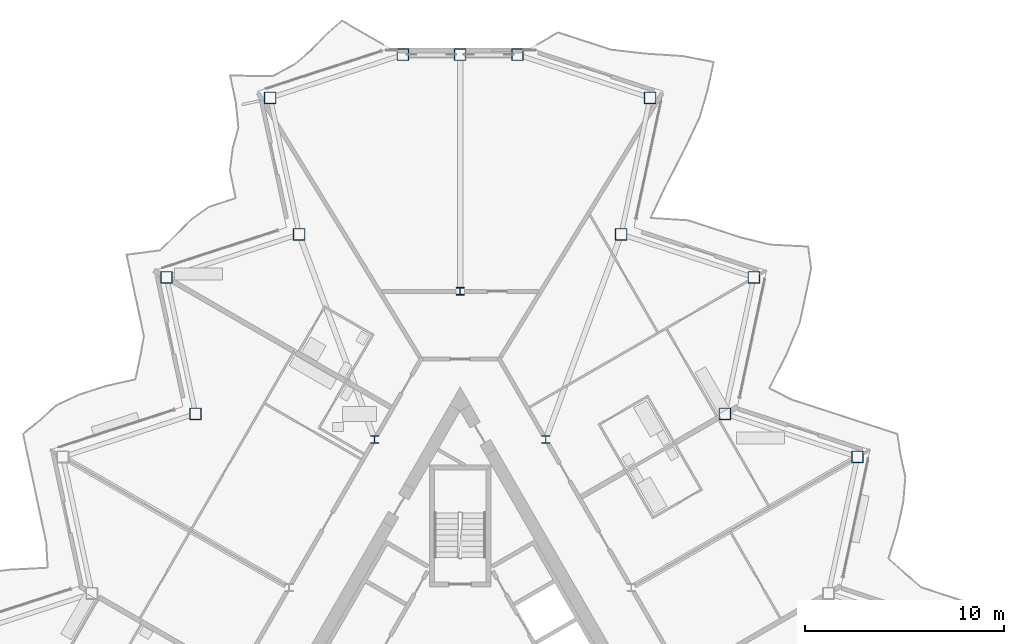
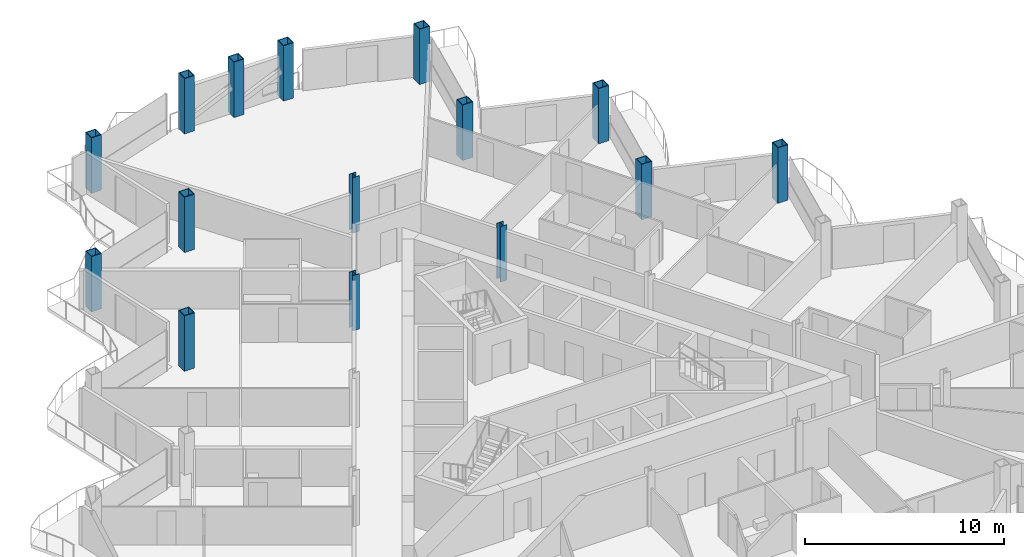
# One storey, part 3 of 28: 15 columns.
"""IFC4 building model written with IfcOpenShell, lengths in metres."""

from ifc_helpers import new_model, si_unit, direction, frame, origin, origin_2d, place, context, subcontext, project, spatial, hollow_rectangle, i_section, extrude, material, material_profile, profile_set, type_object, element, save


model = new_model("IFC4")

# Units and contexts
model_context = context("Model", 3, precision=1e-05, world=origin(), true_north=direction((0.0, 1.0)))
body_context = subcontext(model_context, "Body", "Model", "MODEL_VIEW")
ifc_project = project(units=[si_unit("LENGTHUNIT", "METRE"), si_unit("AREAUNIT", "SQUARE_METRE"), si_unit("VOLUMEUNIT", "CUBIC_METRE"), si_unit("PLANEANGLEUNIT", "RADIAN"), si_unit("MASSUNIT", "GRAM", prefix="KILO")], contexts=[model_context])

# Site, building, storey
site_placement = place(None, origin())
site = spatial("IfcSite", under=ifc_project, at=site_placement, CompositionType="ELEMENT")
building_placement = place(site_placement, origin())
building = spatial("IfcBuilding", under=site, at=building_placement, Name="Cormorant Prow Tower", CompositionType="ELEMENT")
storey_placement = place(building_placement, frame((0.0, 0.0, 308.60009765625)))
storey = spatial("IfcBuildingStorey", under=building, at=storey_placement, Name="L67", CompositionType="ELEMENT", Elevation=308.60009765625)

# Columns
ifc_material_1 = material(Name="Structural steel ASTM A572 Gr 50", Category="steel")
ifc_material_profile_1 = material_profile(ifc_material_1, hollow_rectangle(XDim=0.60009765625, YDim=0.60009765625, WallThickness=0.0400390625, at=origin_2d()), Name="Box 600x600x40")
ifc_profile_set_1 = profile_set([ifc_material_profile_1], Name="Structural steel ASTM A572 Gr 50")
column_type_1 = type_object("IfcColumnType", Name="Perimeter box column 600x600x40", PredefinedType="COLUMN", material=ifc_profile_set_1)
for number, where, z_axis, x_axis, name in (
    (1, (19.925537109375, 11.504150390625, 0.0), (0.0, 0.0, 1.0), (1.0, 0.0, 0.0), "Perimeter column C6 at ENE05 L67"),
    (2, (13.27197265625, 13.666015625, 0.0), (0.0, 0.0, 1.0), (1.0, 0.0, 0.0), "Perimeter column C6 at ENE06 L67"),
    (3, (14.7265625, 20.509033203125, 0.0), (0.0, 0.0, 1.0), (1.0, 0.0, 0.0), "Perimeter column C6 at ENE07 L67"),
    (4, (8.072998046875, 22.6708984375, 0.0), (0.0, 0.0, 1.0), (1.0, 0.0, 0.0), "Perimeter column C6 at ENE08 L67"),
    (5, (9.52734375, 29.51416015625, 0.0), (0.0, 0.0, 1.0), (1.0, 0.0, 0.0), "Perimeter column C6 at ENE09 L67"),
    (6, (2.873779296875, 31.676025390625, 0.0), (0.0, 0.0, 1.0), (1.0, 0.0, 0.0), "Perimeter column C6 at N00 L67"),
    (7, (0.0, 31.676025390625, 0.0), (0.0, 0.0, 1.0), (1.0, 0.0, 0.0), "Perimeter column C6 at N01 L67"),
    (8, (-2.873779296875, 31.676025390625, 0.0), (0.0, 0.0, 1.0), (1.0, 0.0, 0.0), "Perimeter column C6 at WNW00 L67"),
    (9, (-9.52734375, 29.51416015625, 0.0), (0.0, 0.0, 1.0), (1.0, 0.0, 0.0), "Perimeter column C6 at WNW01 L67"),
    (10, (-8.072998046875, 22.6708984375, 0.0), (0.0, 0.0, 1.0), (1.0, 0.0, 0.0), "Perimeter column C6 at WNW02 L67"),
    (11, (-14.7265625, 20.509033203125, 0.0), (0.0, 0.0, 1.0), (1.0, 0.0, 0.0), "Perimeter column C6 at WNW03 L67"),
    (12, (-13.27197265625, 13.666015625, 0.0), (0.0, 0.0, 1.0), (1.0, 0.0, 0.0), "Perimeter column C6 at WNW04 L67"),
):
    element("IfcColumn", number, at=place(storey_placement, frame(where, z_axis=z_axis, x_axis=x_axis)), inside=storey, type_object=column_type_1, Name=name, PredefinedType="COLUMN", context=body_context, shape_type="SweptSolid", body=[
        extrude(hollow_rectangle(XDim=0.60009765625, YDim=0.60009765625, WallThickness=0.0400390625, at=origin_2d()), origin(), (0.0, 0.0, 1.0), 3.39990234375),
    ])
ifc_material_2 = material(Name="Structural steel ASTM A992 Gr 50", Category="steel")
ifc_material_profile_2 = material_profile(ifc_material_2, i_section(OverallWidth=0.3955078125, OverallDepth=0.380615234375, WebThickness=0.018798828125, FlangeThickness=0.0302734375, at=origin_2d()), Name="W14x159")
ifc_profile_set_2 = profile_set([ifc_material_profile_2], Name="Structural steel ASTM A992 Gr 50")
column_type_2 = type_object("IfcColumnType", Name="Ring column W14x159", PredefinedType="COLUMN", material=ifc_profile_set_2)
for number, where, z_axis, x_axis, name in (
    (13, (0.0, 19.81103515625, 0.0), (0.0, 0.0, 1.0), (1.0, 0.0, 0.0), "Ring column 1 L67"),
    (14, (-4.289306640625, 12.3818359375, 0.0), (0.0, 0.0, 1.0), (1.0, 0.0, 0.0), "Ring column 2 L67"),
    (15, (4.289306640625, 12.3818359375, 0.0), (0.0, 0.0, 1.0), (1.0, 0.0, 0.0), "Ring column 12 L67"),
):
    element("IfcColumn", number, at=place(storey_placement, frame(where, z_axis=z_axis, x_axis=x_axis)), inside=storey, type_object=column_type_2, Name=name, PredefinedType="COLUMN", context=body_context, shape_type="SweptSolid", body=[
        extrude(i_section(OverallWidth=0.3955078125, OverallDepth=0.380615234375, WebThickness=0.018798828125, FlangeThickness=0.0302734375, at=origin_2d()), origin(), (0.0, 0.0, 1.0), 3.39990234375),
    ])

save(model, "model.ifc")
